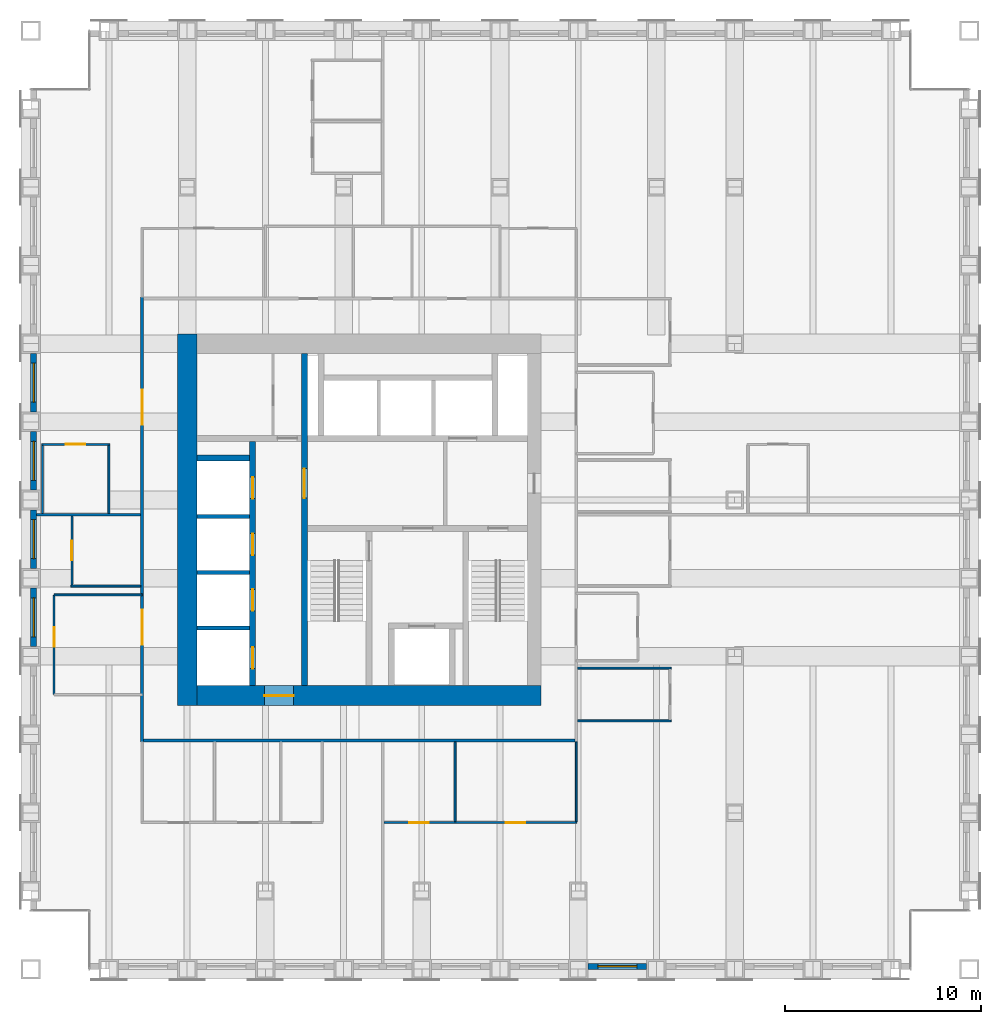
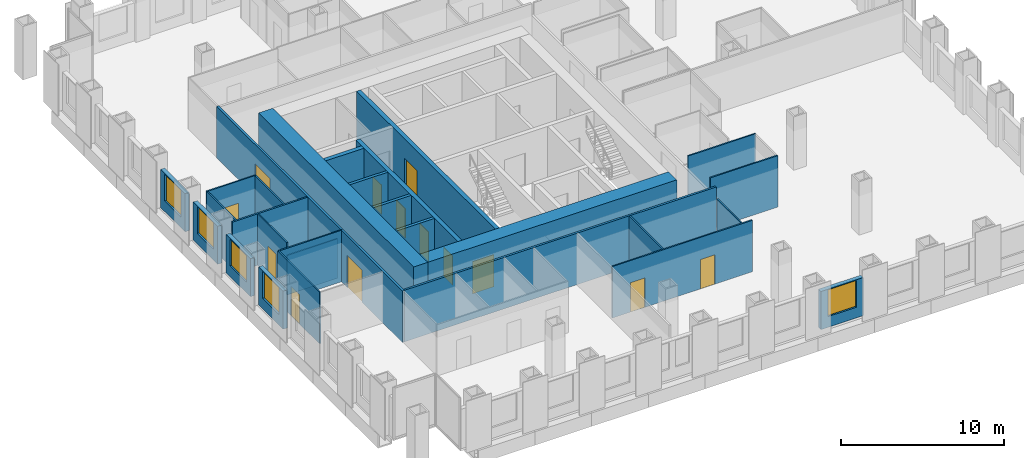
# One storey, part 11 of 16: 28 walls, 13 doors, 5 windows, 18 openings.
"""IFC4 building model written with IfcOpenShell, lengths in metres."""

import ifcopenshell
import ifcopenshell.guid

model = None  # the IFC model being written
_history = None  # IfcOwnerHistory: only IFC2X3 demands one
_inside = {}  # id of a spatial element -> (the spatial element, [elements in it])
_under = {}  # id of a project, library or spatial element -> (it, [spatial elements below it])
_declared = {}  # id of a project -> (the project, [libraries it declares])
_typed = {}  # id of a type object -> (the type object, [elements of that type])
_made_of = {}  # id of a material, layer set ... -> (it, [elements and type objects made of it])


def new_model(schema):
    """Start an empty IFC model of exactly this schema.

    Asked for "IFC4X3", IfcOpenShell would pick the latest addendum, in which some entities
    have other attributes; the version numbers below select the first issue.
    IFC2X3 requires an IfcOwnerHistory on every rooted entity: one is made here for all.
    """
    global model, _history
    if schema == "IFC4X3":
        model = ifcopenshell.file(schema_version=(4, 3, 0, 0))
    else:
        model = ifcopenshell.file(schema=schema)
    _inside.clear()
    _under.clear()
    _declared.clear()
    _typed.clear()
    _made_of.clear()
    _history = None
    if model.schema == "IFC2X3":
        org = make("IfcOrganization", Name="unknown")
        user = make(
            "IfcPersonAndOrganization",
            ThePerson=make("IfcPerson", FamilyName="unknown"),
            TheOrganization=org,
        )
        app = make(
            "IfcApplication",
            ApplicationDeveloper=org,
            Version="unknown",
            ApplicationFullName="unknown",
            ApplicationIdentifier="unknown",
        )
        _history = make(
            "IfcOwnerHistory",
            OwningUser=user,
            OwningApplication=app,
            ChangeAction="ADDED",
            CreationDate=0,
        )
    return model


def make(cls, **values):
    """One entity of the class cls with the attributes given. An attribute that is None is left unset."""
    return model.create_entity(
        cls, **{name: value for name, value in values.items() if value is not None}
    )


def rooted(cls, **values):
    """An entity with a GlobalId (a new one), such as an element, a storey or a relation."""
    return make(cls, GlobalId=ifcopenshell.guid.new(), OwnerHistory=_history, **values)


def si_unit(unit_type, name, prefix=None):
    """IfcSIUnit, for example si_unit("LENGTHUNIT", "METRE", prefix="MILLI")."""
    return make("IfcSIUnit", UnitType=unit_type, Prefix=prefix, Name=name)


def assignment(units):
    """IfcUnitAssignment: the units of a project."""
    return None if units is None else make("IfcUnitAssignment", Units=units)


def point(xyz):
    """IfcCartesianPoint."""
    return None if xyz is None else make("IfcCartesianPoint", Coordinates=xyz)


def direction(xyz):
    """IfcDirection."""
    return None if xyz is None else make("IfcDirection", DirectionRatios=xyz)


def frame(location, z_axis=None, x_axis=None):
    """IfcAxis2Placement3D, a coordinate frame: its origin and axes. An axis left out is left unset."""
    return make(
        "IfcAxis2Placement3D",
        Location=point(location),
        Axis=direction(z_axis),
        RefDirection=direction(x_axis),
    )


def frame_2d(location, x_axis=None):
    """IfcAxis2Placement2D, a coordinate frame in the plane: its origin and x axis."""
    return make(
        "IfcAxis2Placement2D", Location=point(location), RefDirection=direction(x_axis)
    )


def origin():
    """The frame at (0, 0, 0) with its axes left unset."""
    return frame((0.0, 0.0, 0.0))


def place(relative_to, where):
    """IfcLocalPlacement: puts the frame where relative to a parent placement (None: the world)."""
    return make(
        "IfcLocalPlacement", PlacementRelTo=relative_to, RelativePlacement=where
    )


def context(
    kind, dimensions, precision=None, world=None, true_north=None, identifier=None
):
    """IfcGeometricRepresentationContext, for example the 3D "Model" context."""
    return make(
        "IfcGeometricRepresentationContext",
        ContextIdentifier=identifier,
        ContextType=kind,
        CoordinateSpaceDimension=dimensions,
        Precision=precision,
        WorldCoordinateSystem=world,
        TrueNorth=true_north,
    )


def subcontext(parent, identifier, kind, view, scale=None):
    """IfcGeometricRepresentationSubContext, for example "Body" below "Model"."""
    return make(
        "IfcGeometricRepresentationSubContext",
        ContextIdentifier=identifier,
        ContextType=kind,
        ParentContext=parent,
        TargetScale=scale,
        TargetView=view,
    )


def project(units=None, contexts=None):
    """IfcProject with its units and contexts."""
    return rooted(
        "IfcProject",
        Name="project",
        RepresentationContexts=contexts,
        UnitsInContext=assignment(units),
    )


def spatial(cls, under=None, at=None, **own):
    """A site, building, storey or space (cls), placed at a placement, below another one or the project."""
    s = rooted(cls, ObjectPlacement=at, **own)
    if under is not None:
        _under.setdefault(under.id(), (under, []))[1].append(s)
    return s


def profile(cls, at=None, kind="AREA", **sizes):
    """A parametric profile (cls). Its sizes go by their IFC names, for example OverallWidth=200.0."""
    return make(cls, ProfileType=kind, Position=at, **sizes)


def rectangle(**sizes):
    """IfcRectangleProfileDef."""
    return profile("IfcRectangleProfileDef", **sizes)


def extrude(swept, where, along, depth):
    """IfcExtrudedAreaSolid: the profile swept, set in the frame where, extruded along a direction by depth."""
    return make(
        "IfcExtrudedAreaSolid",
        SweptArea=swept,
        Position=where,
        ExtrudedDirection=direction(along),
        Depth=depth,
    )


def shape(context_of_items, identifier, shape_type, items):
    """IfcShapeRepresentation: the items that make up one representation, for example the "Body"."""
    return make(
        "IfcShapeRepresentation",
        ContextOfItems=context_of_items,
        RepresentationIdentifier=identifier,
        RepresentationType=shape_type,
        Items=items,
    )


def material(Name=None, Category=None):
    """IfcMaterial."""
    return make("IfcMaterial", Name=Name, Category=Category)


def layer(
    of_material, thickness, ventilated=None, Name=None, Category=None, Priority=None
):
    """IfcMaterialLayer: one layer of a wall or slab, of a material (None: an air gap)."""
    return make(
        "IfcMaterialLayer",
        Material=of_material,
        LayerThickness=thickness,
        IsVentilated=ventilated,
        Name=Name,
        Category=Category,
        Priority=Priority,
    )


def layer_set(layers, Name=None):
    """IfcMaterialLayerSet."""
    return make("IfcMaterialLayerSet", MaterialLayers=layers, LayerSetName=Name)


def made_of(thing, what):
    """Note that an element or type object is made of a material, layer set ...; save() writes the relation."""
    if what is not None:
        _made_of.setdefault(what.id(), (what, []))[1].append(thing)
    return thing


def type_object(cls, material=None, **own):
    """A type object (cls), such as IfcWallType, which elements share."""
    return made_of(rooted(cls, **own), material)


def element(
    cls,
    number,
    at=None,
    inside=None,
    cuts=None,
    type_object=None,
    material=None,
    context=None,
    identifier="Body",
    shape_type=None,
    held_by="IfcProductDefinitionShape",
    body=None,
    shapes=None,
    **own,
):
    """One element of the class cls, such as IfcWall. Its Tag is "e" and its number.

    at: its placement. inside: the storey or other place that contains it. cuts: it is an
    opening in that element (IfcRelVoidsElement). A single representation is given by context,
    identifier, shape_type and body (its items); several are given by shapes. held_by: the class
    of the entity that holds the representations. save() writes the other relations.
    """
    e = rooted(cls, Tag="e%d" % number, ObjectPlacement=at, **own)
    if body is not None:
        shapes = [shape(context, identifier, shape_type, body)]
    if shapes is not None:
        e.Representation = make(held_by, Representations=shapes)
    if inside is not None:
        _inside.setdefault(inside.id(), (inside, []))[1].append(e)
    if cuts is not None:
        rooted(
            "IfcRelVoidsElement", RelatingBuildingElement=cuts, RelatedOpeningElement=e
        )
    if type_object is not None:
        _typed.setdefault(type_object.id(), (type_object, []))[1].append(e)
    return made_of(e, material)


def fill(opening, filler):
    """IfcRelFillsElement: the door or window that sits in an opening."""
    return rooted(
        "IfcRelFillsElement",
        RelatingOpeningElement=opening,
        RelatedBuildingElement=filler,
    )


def aggregate(whole, parts):
    """IfcRelAggregates: a whole, such as a stair, and the parts it consists of."""
    return rooted("IfcRelAggregates", RelatingObject=whole, RelatedObjects=parts)


def save(model, path):
    """Write the relations noted so far, then the file.

    IfcRelAggregates (storeys below a building ...), IfcRelContainedInSpatialStructure (elements
    in a storey), IfcRelDefinesByType, IfcRelAssociatesMaterial and IfcRelDeclares: one each for
    every whole, place, type object, material and project.
    """
    for whole, parts in _under.values():
        aggregate(whole, parts)
    for where, things in _inside.values():
        rooted(
            "IfcRelContainedInSpatialStructure",
            RelatedElements=things,
            RelatingStructure=where,
        )
    for kind, things in _typed.values():
        rooted("IfcRelDefinesByType", RelatedObjects=things, RelatingType=kind)
    for what, things in _made_of.values():
        rooted("IfcRelAssociatesMaterial", RelatedObjects=things, RelatingMaterial=what)
    for by, libraries in _declared.values():
        rooted("IfcRelDeclares", RelatingContext=by, RelatedDefinitions=libraries)
    model.write(path)


model = new_model("IFC4")

# Units and contexts
model_context = context("Model", 3, precision=1e-05, world=origin(), true_north=direction((0.0, 1.0)))
body_context = subcontext(model_context, "Body", "Model", "MODEL_VIEW")
ifc_project = project(units=[si_unit("LENGTHUNIT", "METRE"), si_unit("AREAUNIT", "SQUARE_METRE"), si_unit("VOLUMEUNIT", "CUBIC_METRE"), si_unit("PLANEANGLEUNIT", "RADIAN"), si_unit("MASSUNIT", "GRAM", prefix="KILO")], contexts=[model_context])

# Site, building, storey
site_placement = place(None, origin())
site = spatial("IfcSite", under=ifc_project, at=site_placement, CompositionType="ELEMENT")
building_placement = place(site_placement, origin())
building = spatial("IfcBuilding", under=site, at=building_placement, Name="Rimbunsela Tower", CompositionType="ELEMENT")
storey_placement = place(building_placement, frame((0.0, 0.0, 121.39990234375)))
storey = spatial("IfcBuildingStorey", under=building, at=storey_placement, Name="L29", CompositionType="ELEMENT", Elevation=121.39990234375)

# Wall, opening, door
ifc_material_1 = material(Name="Concrete fc' 80 MPa", Category="concrete")
ifc_layer_1 = layer(ifc_material_1, 0.300048828125)
ifc_layer_set_1 = layer_set([ifc_layer_1], Name="Core internal wall 300")
wall_type_1 = type_object("IfcWallType", Name="Core internal wall 300", PredefinedType="SHEAR", material=ifc_layer_set_1)
wall_1_placement = place(storey_placement, frame((24.0, 18.5, -0.14990234375), z_axis=(0.0, 0.0, 1.0), x_axis=(0.0, 1.0, 0.0)))
wall_1 = element("IfcWall", 1, at=wall_1_placement, inside=storey, type_object=wall_type_1, Name="Core wall at stair A", PredefinedType="SHEAR", context=body_context, shape_type="SweptSolid", body=[
    extrude(rectangle(XDim=17.0, YDim=0.300048828125, at=frame_2d((8.5, 0.0))), origin(), (0.0, 0.0, 1.0), 4.0),
])
opening_1_placement = place(wall_1_placement, frame((9.60009765625, 0.0, 0.14990234375)))
opening_1 = element("IfcOpeningElement", 2, at=opening_1_placement, cuts=wall_1, Name="Opening D03", PredefinedType="OPENING", context=body_context, shape_type="SweptSolid", body=[
    extrude(rectangle(XDim=1.5, YDim=2.39990234375, at=frame_2d((0.75, 1.199951171875))), frame((0.0, 0.159912109375, 0.0), z_axis=(0.0, -1.0, 0.0), x_axis=(1.0, 0.0, 0.0)), (0.0, 0.0, 1.0), 0.320068359375),
])
ifc_material_2 = material(Name="Steel door, fire rated", Category="steel")
door_type_1 = type_object("IfcDoorType", Name="Core lobby door 1500", OperationType="DOUBLE_DOOR_DOUBLE_SWING", PredefinedType="DOOR", material=ifc_material_2)
door_1_placement = place(opening_1_placement, origin())
door_1 = element("IfcDoor", 3, at=door_1_placement, inside=storey, type_object=door_type_1, Name="West lobby door", OperationType="DOUBLE_DOOR_DOUBLE_SWING", OverallHeight=2.39990234375, OverallWidth=1.5, PredefinedType="DOOR", context=body_context, shape_type="SweptSolid", body=[
    extrude(rectangle(XDim=1.5, YDim=2.39990234375, at=frame_2d((0.75, 1.199951171875))), frame((0.0, 0.02490234375, 0.0), z_axis=(0.0, -1.0, 0.0), x_axis=(1.0, 0.0, 0.0)), (0.0, 0.0, 1.0), 0.050048828125),
])
fill(opening_1, door_1)

# Wall, openings, doors
wall_2_placement = place(storey_placement, frame((21.35009765625, 18.5, -0.14990234375), z_axis=(0.0, 0.0, 1.0), x_axis=(0.0, 1.0, 0.0)))
wall_2 = element("IfcWall", 4, at=wall_2_placement, inside=storey, type_object=wall_type_1, Name="Lift shaft front west", PredefinedType="SHEAR", context=body_context, shape_type="SweptSolid", body=[
    extrude(rectangle(XDim=12.5, YDim=0.300048828125, at=frame_2d((6.25, 0.0))), origin(), (0.0, 0.0, 1.0), 4.0),
])
opening_2_placement = place(wall_2_placement, frame((0.875, 0.0, 0.14990234375)))
opening_2 = element("IfcOpeningElement", 5, at=opening_2_placement, cuts=wall_2, Name="Opening LD1", PredefinedType="OPENING", context=body_context, shape_type="SweptSolid", body=[
    extrude(rectangle(XDim=1.10009765625, YDim=2.199951171875, at=frame_2d((0.550048828125, 1.10009765625))), frame((0.0, 0.159912109375, 0.0), z_axis=(0.0, -1.0, 0.0), x_axis=(1.0, 0.0, 0.0)), (0.0, 0.0, 1.0), 0.320068359375),
])
opening_3_placement = place(wall_2_placement, frame((3.824951171875, 0.0, 0.14990234375)))
opening_3 = element("IfcOpeningElement", 6, at=opening_3_placement, cuts=wall_2, Name="Opening LD1", PredefinedType="OPENING", context=body_context, shape_type="SweptSolid", body=[
    extrude(rectangle(XDim=1.10009765625, YDim=2.199951171875, at=frame_2d((0.550048828125, 1.10009765625))), frame((0.0, 0.159912109375, 0.0), z_axis=(0.0, -1.0, 0.0), x_axis=(1.0, 0.0, 0.0)), (0.0, 0.0, 1.0), 0.320068359375),
])
opening_4_placement = place(wall_2_placement, frame((6.675048828125, 0.0, 0.14990234375)))
opening_4 = element("IfcOpeningElement", 7, at=opening_4_placement, cuts=wall_2, Name="Opening LD1", PredefinedType="OPENING", context=body_context, shape_type="SweptSolid", body=[
    extrude(rectangle(XDim=1.10009765625, YDim=2.199951171875, at=frame_2d((0.550048828125, 1.10009765625))), frame((0.0, 0.159912109375, 0.0), z_axis=(0.0, -1.0, 0.0), x_axis=(1.0, 0.0, 0.0)), (0.0, 0.0, 1.0), 0.320068359375),
])
opening_5_placement = place(wall_2_placement, frame((9.574951171875, 0.0, 0.14990234375)))
opening_5 = element("IfcOpeningElement", 8, at=opening_5_placement, cuts=wall_2, Name="Opening LD1", PredefinedType="OPENING", context=body_context, shape_type="SweptSolid", body=[
    extrude(rectangle(XDim=1.10009765625, YDim=2.199951171875, at=frame_2d((0.550048828125, 1.10009765625))), frame((0.0, 0.159912109375, 0.0), z_axis=(0.0, -1.0, 0.0), x_axis=(1.0, 0.0, 0.0)), (0.0, 0.0, 1.0), 0.320068359375),
])
ifc_material_3 = material(Name="Steel door, fire rated", Category="steel")
door_type_2 = type_object("IfcDoorType", Name="Lift landing door 1100", OperationType="DOUBLE_DOOR_SLIDING", PredefinedType="DOOR", material=ifc_material_3)
door_2_placement = place(opening_2_placement, origin())
door_2 = element("IfcDoor", 9, at=door_2_placement, inside=storey, type_object=door_type_2, Name="Lift landing door ML1", OperationType="DOUBLE_DOOR_SLIDING", OverallHeight=2.199951171875, OverallWidth=1.10009765625, PredefinedType="DOOR", context=body_context, shape_type="SweptSolid", body=[
    extrude(rectangle(XDim=1.10009765625, YDim=2.199951171875, at=frame_2d((0.550048828125, 1.10009765625))), frame((0.0, 0.02490234375, 0.0), z_axis=(0.0, -1.0, 0.0), x_axis=(1.0, 0.0, 0.0)), (0.0, 0.0, 1.0), 0.050048828125),
])
fill(opening_2, door_2)
door_3_placement = place(opening_3_placement, origin())
door_3 = element("IfcDoor", 10, at=door_3_placement, inside=storey, type_object=door_type_2, Name="Lift landing door ML2", OperationType="DOUBLE_DOOR_SLIDING", OverallHeight=2.199951171875, OverallWidth=1.10009765625, PredefinedType="DOOR", context=body_context, shape_type="SweptSolid", body=[
    extrude(rectangle(XDim=1.10009765625, YDim=2.199951171875, at=frame_2d((0.550048828125, 1.10009765625))), frame((0.0, 0.02490234375, 0.0), z_axis=(0.0, -1.0, 0.0), x_axis=(1.0, 0.0, 0.0)), (0.0, 0.0, 1.0), 0.050048828125),
])
fill(opening_3, door_3)
door_4_placement = place(opening_4_placement, origin())
door_4 = element("IfcDoor", 11, at=door_4_placement, inside=storey, type_object=door_type_2, Name="Lift landing door ML3", OperationType="DOUBLE_DOOR_SLIDING", OverallHeight=2.199951171875, OverallWidth=1.10009765625, PredefinedType="DOOR", context=body_context, shape_type="SweptSolid", body=[
    extrude(rectangle(XDim=1.10009765625, YDim=2.199951171875, at=frame_2d((0.550048828125, 1.10009765625))), frame((0.0, 0.02490234375, 0.0), z_axis=(0.0, -1.0, 0.0), x_axis=(1.0, 0.0, 0.0)), (0.0, 0.0, 1.0), 0.050048828125),
])
fill(opening_4, door_4)
door_5_placement = place(opening_5_placement, origin())
door_5 = element("IfcDoor", 12, at=door_5_placement, inside=storey, type_object=door_type_2, Name="Lift landing door ML4", OperationType="DOUBLE_DOOR_SLIDING", OverallHeight=2.199951171875, OverallWidth=1.10009765625, PredefinedType="DOOR", context=body_context, shape_type="SweptSolid", body=[
    extrude(rectangle(XDim=1.10009765625, YDim=2.199951171875, at=frame_2d((0.550048828125, 1.10009765625))), frame((0.0, 0.02490234375, 0.0), z_axis=(0.0, -1.0, 0.0), x_axis=(1.0, 0.0, 0.0)), (0.0, 0.0, 1.0), 0.050048828125),
])
fill(opening_5, door_5)

# Walls
wall_3_placement = place(storey_placement, frame((18.5, 30.14990234375, -0.14990234375), z_axis=(0.0, 0.0, 1.0), x_axis=(1.0, 0.0, 0.0)))
element("IfcWall", 13, at=wall_3_placement, inside=storey, type_object=wall_type_1, Name="Lift shaft rear west", PredefinedType="SHEAR", context=body_context, shape_type="SweptSolid", body=[
    extrude(rectangle(XDim=2.699951171875, YDim=0.300048828125, at=frame_2d((1.35009765625, 0.0))), origin(), (0.0, 0.0, 1.0), 4.0),
])
ifc_material_4 = material(Name="Concrete fc' 80 MPa", Category="concrete")
ifc_layer_2 = layer(ifc_material_4, 1.0)
ifc_layer_set_2 = layer_set([ifc_layer_2], Name="Core wall 1000")
wall_type_2 = type_object("IfcWallType", Name="Core wall 1000", PredefinedType="SHEAR", material=ifc_layer_set_2)
wall_4_placement = place(storey_placement, frame((18.0, 17.5, -0.14990234375), z_axis=(0.0, 0.0, 1.0), x_axis=(0.0, 1.0, 0.0)))
element("IfcWall", 14, at=wall_4_placement, inside=storey, type_object=wall_type_2, Name="Core wall west", PredefinedType="SHEAR", context=body_context, shape_type="SweptSolid", body=[
    extrude(rectangle(XDim=19.0, YDim=1.0, at=frame_2d((9.5, 0.0))), origin(), (0.0, 0.0, 1.0), 4.0),
])

# Wall, opening, door
wall_5_placement = place(storey_placement, frame((18.5, 18.0, -0.14990234375), z_axis=(0.0, 0.0, 1.0), x_axis=(1.0, 0.0, 0.0)))
wall_5 = element("IfcWall", 15, at=wall_5_placement, inside=storey, type_object=wall_type_2, Name="Core wall south", PredefinedType="SHEAR", context=body_context, shape_type="SweptSolid", body=[
    extrude(rectangle(XDim=17.60009765625, YDim=1.0, at=frame_2d((8.800048828125, 0.0))), origin(), (0.0, 0.0, 1.0), 4.0),
])
opening_6_placement = place(wall_5_placement, frame((3.449951171875, 0.0, 0.14990234375)))
opening_6 = element("IfcOpeningElement", 16, at=opening_6_placement, cuts=wall_5, Name="Opening D03", PredefinedType="OPENING", context=body_context, shape_type="SweptSolid", body=[
    extrude(rectangle(XDim=1.5, YDim=2.39990234375, at=frame_2d((0.75, 1.199951171875))), frame((0.0, 0.510009765625, 0.0), z_axis=(0.0, -1.0, 0.0), x_axis=(1.0, 0.0, 0.0)), (0.0, 0.0, 1.0), 1.02001953125),
])
door_6_placement = place(opening_6_placement, origin())
door_6 = element("IfcDoor", 17, at=door_6_placement, inside=storey, type_object=door_type_1, Name="Core door south", OperationType="DOUBLE_DOOR_DOUBLE_SWING", OverallHeight=2.39990234375, OverallWidth=1.5, PredefinedType="DOOR", context=body_context, shape_type="SweptSolid", body=[
    extrude(rectangle(XDim=1.5, YDim=2.39990234375, at=frame_2d((0.75, 1.199951171875))), frame((0.0, 0.02490234375, 0.0), z_axis=(0.0, -1.0, 0.0), x_axis=(1.0, 0.0, 0.0)), (0.0, 0.0, 1.0), 0.050048828125),
])
fill(opening_6, door_6)

# Walls
ifc_material_5 = material(Name="Concrete blockwork", Category="masonry")
ifc_layer_3 = layer(ifc_material_5, 0.199951171875)
ifc_layer_set_3 = layer_set([ifc_layer_3], Name="Lift shaft wall 200")
wall_type_3 = type_object("IfcWallType", Name="Lift shaft wall 200", PredefinedType="SOLIDWALL", material=ifc_layer_set_3)
for number, where, z_axis, x_axis, name in (
    (18, (18.5, 21.449951171875, -0.14990234375), (0.0, 0.0, 1.0), (1.0, 0.0, 0.0), "Lift shaft separation"),
    (19, (18.5, 24.300048828125, -0.14990234375), (0.0, 0.0, 1.0), (1.0, 0.0, 0.0), "Lift shaft separation"),
    (20, (18.5, 27.14990234375, -0.14990234375), (0.0, 0.0, 1.0), (1.0, 0.0, 0.0), "Lift shaft separation"),
):
    element("IfcWall", number, at=place(storey_placement, frame(where, z_axis=z_axis, x_axis=x_axis)), inside=storey, type_object=wall_type_3, Name=name, PredefinedType="SOLIDWALL", context=body_context, shape_type="SweptSolid", body=[
        extrude(rectangle(XDim=2.699951171875, YDim=0.199951171875, at=frame_2d((1.35009765625, 0.0))), origin(), (0.0, 0.0, 1.0), 4.0),
    ])

# Wall, openings, doors
ifc_material_6 = material(Name="Gypsum board on steel studs", Category="steel")
ifc_layer_4 = layer(ifc_material_6, 0.10009765625)
ifc_layer_set_4 = layer_set([ifc_layer_4], Name="Office partition 100")
wall_type_4 = type_object("IfcWallType", Name="Office partition 100", PredefinedType="PARTITIONING", material=ifc_layer_set_4)
wall_6_placement = place(storey_placement, frame((28.06103515625, 11.5, 0.0), z_axis=(0.0, 0.0, 1.0), x_axis=(1.0, 0.0, 0.0)))
wall_6 = element("IfcWall", 21, at=wall_6_placement, inside=storey, type_object=wall_type_4, Name="Office partition", PredefinedType="PARTITIONING", context=body_context, shape_type="SweptSolid", body=[
    extrude(rectangle(XDim=9.888916015625, YDim=0.10009765625, at=frame_2d((4.9443359375, 0.0))), origin(), (0.0, 0.0, 1.0), 3.85009765625),
])
opening_7_placement = place(wall_6_placement, frame((1.2900390625, 0.0, 0.0)))
opening_7 = element("IfcOpeningElement", 22, at=opening_7_placement, cuts=wall_6, Name="Opening D17", PredefinedType="OPENING", context=body_context, shape_type="SweptSolid", body=[
    extrude(rectangle(XDim=1.0, YDim=2.199951171875, at=frame_2d((0.5, 1.10009765625))), frame((0.0, 0.06005859375, 0.0), z_axis=(0.0, -1.0, 0.0), x_axis=(1.0, 0.0, 0.0)), (0.0, 0.0, 1.0), 0.1201171875),
])
opening_8_placement = place(wall_6_placement, frame((6.239501953125, 0.0, 0.0)))
opening_8 = element("IfcOpeningElement", 23, at=opening_8_placement, cuts=wall_6, Name="Opening D16", PredefinedType="OPENING", context=body_context, shape_type="SweptSolid", body=[
    extrude(rectangle(XDim=1.0, YDim=2.199951171875, at=frame_2d((0.5, 1.10009765625))), frame((0.0, 0.06005859375, 0.0), z_axis=(0.0, -1.0, 0.0), x_axis=(1.0, 0.0, 0.0)), (0.0, 0.0, 1.0), 0.1201171875),
])
ifc_material_7 = material(Name="Glazed aluminium door", Category="aluminium")
door_type_3 = type_object("IfcDoorType", Name="Meeting room door 1000 glazed", OperationType="SINGLE_SWING_RIGHT", PredefinedType="DOOR", material=ifc_material_7)
door_7_placement = place(opening_7_placement, origin())
door_7 = element("IfcDoor", 24, at=door_7_placement, inside=storey, type_object=door_type_3, Name="Meeting room door", OperationType="SINGLE_SWING_RIGHT", OverallHeight=2.199951171875, OverallWidth=1.0, PredefinedType="DOOR", context=body_context, shape_type="SweptSolid", body=[
    extrude(rectangle(XDim=1.0, YDim=2.199951171875, at=frame_2d((0.5, 1.10009765625))), frame((0.0, 0.02490234375, 0.0), z_axis=(0.0, -1.0, 0.0), x_axis=(1.0, 0.0, 0.0)), (0.0, 0.0, 1.0), 0.050048828125),
])
fill(opening_7, door_7)
ifc_material_8 = material(Name="Timber door", Category="wood")
door_type_4 = type_object("IfcDoorType", Name="Office door 1000", OperationType="SINGLE_SWING_LEFT", PredefinedType="DOOR", material=ifc_material_8)
door_8_placement = place(opening_8_placement, origin())
door_8 = element("IfcDoor", 25, at=door_8_placement, inside=storey, type_object=door_type_4, Name="Office door", OperationType="SINGLE_SWING_LEFT", OverallHeight=2.199951171875, OverallWidth=1.0, PredefinedType="DOOR", context=body_context, shape_type="SweptSolid", body=[
    extrude(rectangle(XDim=1.0, YDim=2.199951171875, at=frame_2d((0.5, 1.10009765625))), frame((0.0, 0.02490234375, 0.0), z_axis=(0.0, -1.0, 0.0), x_axis=(1.0, 0.0, 0.0)), (0.0, 0.0, 1.0), 0.050048828125),
])
fill(opening_8, door_8)

# Walls
for number, where, z_axis, x_axis, name in (
    (26, (37.97509765625, 16.699951171875, 0.0), (0.0, 0.0, 1.0), (1.0, 0.0, 0.0), "Office partition"),
    (27, (37.97509765625, 19.39892578125, 0.0), (0.0, 0.0, 1.0), (1.0, 0.0, 0.0), "Office partition"),
):
    element("IfcWall", number, at=place(storey_placement, frame(where, z_axis=z_axis, x_axis=x_axis)), inside=storey, type_object=wall_type_4, Name=name, PredefinedType="PARTITIONING", context=body_context, shape_type="SweptSolid", body=[
        extrude(rectangle(XDim=4.77490234375, YDim=0.10009765625, at=frame_2d((2.387451171875, 0.0))), origin(), (0.0, 0.0, 1.0), 3.85009765625),
    ])
wall_7_placement = place(storey_placement, frame((12.050048828125, 23.59912109375, 0.0), z_axis=(0.0, 0.0, 1.0), x_axis=(1.0, 0.0, 0.0)))
element("IfcWall", 28, at=wall_7_placement, inside=storey, type_object=wall_type_4, Name="Office partition", PredefinedType="PARTITIONING", context=body_context, shape_type="SweptSolid", body=[
    extrude(rectangle(XDim=3.574951171875, YDim=0.10009765625, at=frame_2d((1.78759765625, 0.0))), origin(), (0.0, 0.0, 1.0), 2.9501953125),
])

# Wall, opening, door
wall_8_placement = place(storey_placement, frame((10.550048828125, 30.85009765625, 0.0), z_axis=(0.0, 0.0, 1.0), x_axis=(1.0, 0.0, 0.0)))
wall_8 = element("IfcWall", 29, at=wall_8_placement, inside=storey, type_object=wall_type_4, Name="Office partition", PredefinedType="PARTITIONING", context=body_context, shape_type="SweptSolid", body=[
    extrude(rectangle(XDim=3.5, YDim=0.10009765625, at=frame_2d((1.75, 0.0))), origin(), (0.0, 0.0, 1.0), 3.85009765625),
])
opening_9_placement = place(wall_8_placement, frame((1.25, 0.0, 0.0)))
opening_9 = element("IfcOpeningElement", 30, at=opening_9_placement, cuts=wall_8, Name="Opening D16", PredefinedType="OPENING", context=body_context, shape_type="SweptSolid", body=[
    extrude(rectangle(XDim=1.0, YDim=2.199951171875, at=frame_2d((0.5, 1.10009765625))), frame((0.0, 0.06005859375, 0.0), z_axis=(0.0, -1.0, 0.0), x_axis=(1.0, 0.0, 0.0)), (0.0, 0.0, 1.0), 0.1201171875),
])
door_9_placement = place(opening_9_placement, origin())
door_9 = element("IfcDoor", 31, at=door_9_placement, inside=storey, type_object=door_type_4, Name="Office door", OperationType="SINGLE_SWING_LEFT", OverallHeight=2.199951171875, OverallWidth=1.0, PredefinedType="DOOR", context=body_context, shape_type="SweptSolid", body=[
    extrude(rectangle(XDim=1.0, YDim=2.199951171875, at=frame_2d((0.5, 1.10009765625))), frame((0.0, 0.02490234375, 0.0), z_axis=(0.0, -1.0, 0.0), x_axis=(1.0, 0.0, 0.0)), (0.0, 0.0, 1.0), 0.050048828125),
])
fill(opening_9, door_9)

# Wall
wall_9_placement = place(storey_placement, frame((10.60009765625, 27.31005859375, 0.0), z_axis=(0.0, 0.0, 1.0), x_axis=(0.0, 1.0, 0.0)))
element("IfcWall", 32, at=wall_9_placement, inside=storey, type_object=wall_type_4, Name="Office partition", PredefinedType="PARTITIONING", context=body_context, shape_type="SweptSolid", body=[
    extrude(rectangle(XDim=3.489990234375, YDim=0.10009765625, at=frame_2d((1.7451171875, 0.0))), origin(), (0.0, 0.0, 1.0), 3.85009765625),
])

# Wall, opening, door
wall_10_placement = place(storey_placement, frame((12.10009765625, 23.64892578125, 0.0), z_axis=(0.0, 0.0, 1.0), x_axis=(0.0, 1.0, 0.0)))
wall_10 = element("IfcWall", 33, at=wall_10_placement, inside=storey, type_object=wall_type_4, Name="Office partition", PredefinedType="PARTITIONING", context=body_context, shape_type="SweptSolid", body=[
    extrude(rectangle(XDim=3.5400390625, YDim=0.10009765625, at=frame_2d((1.77001953125, 0.0))), origin(), (0.0, 0.0, 1.0), 3.85009765625),
])
opening_10_placement = place(wall_10_placement, frame((1.27490234375, 0.0, 0.0)))
opening_10 = element("IfcOpeningElement", 34, at=opening_10_placement, cuts=wall_10, Name="Opening D16", PredefinedType="OPENING", context=body_context, shape_type="SweptSolid", body=[
    extrude(rectangle(XDim=1.0, YDim=2.199951171875, at=frame_2d((0.5, 1.10009765625))), frame((0.0, 0.06005859375, 0.0), z_axis=(0.0, -1.0, 0.0), x_axis=(1.0, 0.0, 0.0)), (0.0, 0.0, 1.0), 0.1201171875),
])
door_10_placement = place(opening_10_placement, origin())
door_10 = element("IfcDoor", 35, at=door_10_placement, inside=storey, type_object=door_type_4, Name="Office door", OperationType="SINGLE_SWING_LEFT", OverallHeight=2.199951171875, OverallWidth=1.0, PredefinedType="DOOR", context=body_context, shape_type="SweptSolid", body=[
    extrude(rectangle(XDim=1.0, YDim=2.199951171875, at=frame_2d((0.5, 1.10009765625))), frame((0.0, 0.02490234375, 0.0), z_axis=(0.0, -1.0, 0.0), x_axis=(1.0, 0.0, 0.0)), (0.0, 0.0, 1.0), 0.050048828125),
])
fill(opening_10, door_10)

# Walls
wall_11_placement = place(storey_placement, frame((14.0, 27.31005859375, 0.0), z_axis=(0.0, 0.0, 1.0), x_axis=(0.0, 1.0, 0.0)))
element("IfcWall", 36, at=wall_11_placement, inside=storey, type_object=wall_type_4, Name="Office partition", PredefinedType="PARTITIONING", context=body_context, shape_type="SweptSolid", body=[
    extrude(rectangle(XDim=3.489990234375, YDim=0.10009765625, at=frame_2d((1.7451171875, 0.0))), origin(), (0.0, 0.0, 1.0), 3.85009765625),
])
wall_12_placement = place(storey_placement, frame((31.700927734375, 11.550048828125, 0.0), z_axis=(0.0, 0.0, 1.0), x_axis=(0.0, 1.0, 0.0)))
element("IfcWall", 37, at=wall_12_placement, inside=storey, type_object=wall_type_4, Name="Office partition", PredefinedType="PARTITIONING", context=body_context, shape_type="SweptSolid", body=[
    extrude(rectangle(XDim=4.074951171875, YDim=0.10009765625, at=frame_2d((2.03759765625, 0.0))), origin(), (0.0, 0.0, 1.0), 3.85009765625),
])
wall_13_placement = place(storey_placement, frame((37.89990234375, 11.550048828125, 0.0), z_axis=(0.0, 0.0, 1.0), x_axis=(0.0, 1.0, 0.0)))
element("IfcWall", 38, at=wall_13_placement, inside=storey, type_object=wall_type_4, Name="Office partition", PredefinedType="PARTITIONING", context=body_context, shape_type="SweptSolid", body=[
    extrude(rectangle(XDim=4.074951171875, YDim=0.10009765625, at=frame_2d((2.03759765625, 0.0))), origin(), (0.0, 0.0, 1.0), 2.9501953125),
])
wall_14_placement = place(storey_placement, frame((15.699951171875, 23.14892578125, 0.0), z_axis=(0.0, 0.0, 1.0), x_axis=(-1.0, 0.0, 0.0)))
element("IfcWall", 39, at=wall_14_placement, inside=storey, type_object=wall_type_4, Name="Office partition", PredefinedType="PARTITIONING", context=body_context, shape_type="SweptSolid", body=[
    extrude(rectangle(XDim=4.5, YDim=0.10009765625, at=frame_2d((2.25, 0.0))), origin(), (0.0, 0.0, 1.0), 3.85009765625),
])

# Wall, opening, door
wall_15_placement = place(storey_placement, frame((11.199951171875, 23.14892578125, 0.0), z_axis=(0.0, 0.0, 1.0), x_axis=(0.0, -1.0, 0.0)))
wall_15 = element("IfcWall", 40, at=wall_15_placement, inside=storey, type_object=wall_type_4, Name="Office partition", PredefinedType="PARTITIONING", context=body_context, shape_type="SweptSolid", body=[
    extrude(rectangle(XDim=5.099853515625, YDim=0.10009765625, at=frame_2d((2.5498046875, 0.0))), origin(), (0.0, 0.0, 1.0), 3.85009765625),
])
opening_11_placement = place(wall_15_placement, frame((1.64990234375, 0.0, 0.0)))
opening_11 = element("IfcOpeningElement", 41, at=opening_11_placement, cuts=wall_15, Name="Opening D17", PredefinedType="OPENING", context=body_context, shape_type="SweptSolid", body=[
    extrude(rectangle(XDim=1.0, YDim=2.199951171875, at=frame_2d((0.5, 1.10009765625))), frame((0.0, 0.06005859375, 0.0), z_axis=(0.0, -1.0, 0.0), x_axis=(1.0, 0.0, 0.0)), (0.0, 0.0, 1.0), 0.1201171875),
])
door_11_placement = place(opening_11_placement, origin())
door_11 = element("IfcDoor", 42, at=door_11_placement, inside=storey, type_object=door_type_3, Name="Reception door", OperationType="SINGLE_SWING_RIGHT", OverallHeight=2.199951171875, OverallWidth=1.0, PredefinedType="DOOR", context=body_context, shape_type="SweptSolid", body=[
    extrude(rectangle(XDim=1.0, YDim=2.199951171875, at=frame_2d((0.5, 1.10009765625))), frame((0.0, 0.02490234375, 0.0), z_axis=(0.0, -1.0, 0.0), x_axis=(1.0, 0.0, 0.0)), (0.0, 0.0, 1.0), 0.050048828125),
])
fill(opening_11, door_11)

# Wall, opening, window
ifc_material_9 = material(Name="Precast concrete fc' 35 MPa", Category="concrete")
ifc_layer_5 = layer(ifc_material_9, 0.300048828125)
ifc_layer_set_5 = layer_set([ifc_layer_5], Name="Precast concrete fc' 35 MPa")
wall_type_5 = type_object("IfcWallType", Name="Precast facade panel 300", PredefinedType="ELEMENTEDWALL", material=ifc_layer_set_5)
wall_16_placement = place(storey_placement, frame((38.5, 4.14990234375, 0.0), z_axis=(0.0, 0.0, 1.0), x_axis=(1.0, 0.0, 0.0)))
wall_16 = element("IfcWall", 43, at=wall_16_placement, inside=storey, type_object=wall_type_5, Name="Facade panel S L29", PredefinedType="ELEMENTEDWALL", context=body_context, shape_type="SweptSolid", body=[
    extrude(rectangle(XDim=3.0, YDim=0.300048828125, at=frame_2d((1.5, 0.0))), origin(), (0.0, 0.0, 1.0), 2.85009765625),
])
opening_12_placement = place(wall_16_placement, frame((0.5, 0.0, 0.800048828125)))
opening_12 = element("IfcOpeningElement", 44, at=opening_12_placement, cuts=wall_16, Name="Opening W1", PredefinedType="OPENING", context=body_context, shape_type="SweptSolid", body=[
    extrude(rectangle(XDim=2.0, YDim=2.0, at=frame_2d((1.0, 1.0))), frame((0.0, 0.159912109375, 0.0), z_axis=(0.0, -1.0, 0.0), x_axis=(1.0, 0.0, 0.0)), (0.0, 0.0, 1.0), 0.320068359375),
])
ifc_material_10 = material(Name="Clear glass in aluminium frame", Category="aluminium")
window_type = type_object("IfcWindowType", Name="Window W1 2000x2000", PartitioningType="DOUBLE_PANEL_VERTICAL", PredefinedType="WINDOW", material=ifc_material_10)
window_1_placement = place(opening_12_placement, origin())
window_1 = element("IfcWindow", 45, at=window_1_placement, inside=storey, type_object=window_type, Name="Window L29", OverallHeight=2.0, OverallWidth=2.0, PartitioningType="SINGLE_PANEL", PredefinedType="WINDOW", context=body_context, shape_type="SweptSolid", body=[
    extrude(rectangle(XDim=2.0, YDim=2.0, at=frame_2d((1.0, 1.0))), frame((0.0, 0.030029296875, 0.0), z_axis=(0.0, -1.0, 0.0), x_axis=(1.0, 0.0, 0.0)), (0.0, 0.0, 1.0), 0.06005859375),
])
fill(opening_12, window_1)

wall_17_placement = place(storey_placement, frame((10.14990234375, 23.5, 0.0), z_axis=(0.0, 0.0, 1.0), x_axis=(0.0, -1.0, 0.0)))
wall_17 = element("IfcWall", 46, at=wall_17_placement, inside=storey, type_object=wall_type_5, Name="Facade panel W L29", PredefinedType="ELEMENTEDWALL", context=body_context, shape_type="SweptSolid", body=[
    extrude(rectangle(XDim=3.0, YDim=0.300048828125, at=frame_2d((1.5, 0.0))), origin(), (0.0, 0.0, 1.0), 2.85009765625),
])
opening_13_placement = place(wall_17_placement, frame((0.5, 0.0, 0.800048828125)))
opening_13 = element("IfcOpeningElement", 47, at=opening_13_placement, cuts=wall_17, Name="Opening W1", PredefinedType="OPENING", context=body_context, shape_type="SweptSolid", body=[
    extrude(rectangle(XDim=2.0, YDim=2.0, at=frame_2d((1.0, 1.0))), frame((0.0, 0.159912109375, 0.0), z_axis=(0.0, -1.0, 0.0), x_axis=(1.0, 0.0, 0.0)), (0.0, 0.0, 1.0), 0.320068359375),
])
window_2_placement = place(opening_13_placement, origin())
window_2 = element("IfcWindow", 48, at=window_2_placement, inside=storey, type_object=window_type, Name="Window L29", OverallHeight=2.0, OverallWidth=2.0, PartitioningType="SINGLE_PANEL", PredefinedType="WINDOW", context=body_context, shape_type="SweptSolid", body=[
    extrude(rectangle(XDim=2.0, YDim=2.0, at=frame_2d((1.0, 1.0))), frame((0.0, 0.030029296875, 0.0), z_axis=(0.0, -1.0, 0.0), x_axis=(1.0, 0.0, 0.0)), (0.0, 0.0, 1.0), 0.06005859375),
])
fill(opening_13, window_2)

wall_18_placement = place(storey_placement, frame((10.14990234375, 27.5, 0.0), z_axis=(0.0, 0.0, 1.0), x_axis=(0.0, -1.0, 0.0)))
wall_18 = element("IfcWall", 49, at=wall_18_placement, inside=storey, type_object=wall_type_5, Name="Facade panel W L29", PredefinedType="ELEMENTEDWALL", context=body_context, shape_type="SweptSolid", body=[
    extrude(rectangle(XDim=3.0, YDim=0.300048828125, at=frame_2d((1.5, 0.0))), origin(), (0.0, 0.0, 1.0), 2.85009765625),
])
opening_14_placement = place(wall_18_placement, frame((0.5, 0.0, 0.800048828125)))
opening_14 = element("IfcOpeningElement", 50, at=opening_14_placement, cuts=wall_18, Name="Opening W1", PredefinedType="OPENING", context=body_context, shape_type="SweptSolid", body=[
    extrude(rectangle(XDim=2.0, YDim=2.0, at=frame_2d((1.0, 1.0))), frame((0.0, 0.159912109375, 0.0), z_axis=(0.0, -1.0, 0.0), x_axis=(1.0, 0.0, 0.0)), (0.0, 0.0, 1.0), 0.320068359375),
])
window_3_placement = place(opening_14_placement, origin())
window_3 = element("IfcWindow", 51, at=window_3_placement, inside=storey, type_object=window_type, Name="Window L29", OverallHeight=2.0, OverallWidth=2.0, PartitioningType="SINGLE_PANEL", PredefinedType="WINDOW", context=body_context, shape_type="SweptSolid", body=[
    extrude(rectangle(XDim=2.0, YDim=2.0, at=frame_2d((1.0, 1.0))), frame((0.0, 0.030029296875, 0.0), z_axis=(0.0, -1.0, 0.0), x_axis=(1.0, 0.0, 0.0)), (0.0, 0.0, 1.0), 0.06005859375),
])
fill(opening_14, window_3)

wall_19_placement = place(storey_placement, frame((10.14990234375, 31.5, 0.0), z_axis=(0.0, 0.0, 1.0), x_axis=(0.0, -1.0, 0.0)))
wall_19 = element("IfcWall", 52, at=wall_19_placement, inside=storey, type_object=wall_type_5, Name="Facade panel W L29", PredefinedType="ELEMENTEDWALL", context=body_context, shape_type="SweptSolid", body=[
    extrude(rectangle(XDim=3.0, YDim=0.300048828125, at=frame_2d((1.5, 0.0))), origin(), (0.0, 0.0, 1.0), 2.85009765625),
])
opening_15_placement = place(wall_19_placement, frame((0.5, 0.0, 0.800048828125)))
opening_15 = element("IfcOpeningElement", 53, at=opening_15_placement, cuts=wall_19, Name="Opening W1", PredefinedType="OPENING", context=body_context, shape_type="SweptSolid", body=[
    extrude(rectangle(XDim=2.0, YDim=2.0, at=frame_2d((1.0, 1.0))), frame((0.0, 0.159912109375, 0.0), z_axis=(0.0, -1.0, 0.0), x_axis=(1.0, 0.0, 0.0)), (0.0, 0.0, 1.0), 0.320068359375),
])
window_4_placement = place(opening_15_placement, origin())
window_4 = element("IfcWindow", 54, at=window_4_placement, inside=storey, type_object=window_type, Name="Window L29", OverallHeight=2.0, OverallWidth=2.0, PartitioningType="SINGLE_PANEL", PredefinedType="WINDOW", context=body_context, shape_type="SweptSolid", body=[
    extrude(rectangle(XDim=2.0, YDim=2.0, at=frame_2d((1.0, 1.0))), frame((0.0, 0.030029296875, 0.0), z_axis=(0.0, -1.0, 0.0), x_axis=(1.0, 0.0, 0.0)), (0.0, 0.0, 1.0), 0.06005859375),
])
fill(opening_15, window_4)

wall_20_placement = place(storey_placement, frame((10.14990234375, 35.5, 0.0), z_axis=(0.0, 0.0, 1.0), x_axis=(0.0, -1.0, 0.0)))
wall_20 = element("IfcWall", 55, at=wall_20_placement, inside=storey, type_object=wall_type_5, Name="Facade panel W L29", PredefinedType="ELEMENTEDWALL", context=body_context, shape_type="SweptSolid", body=[
    extrude(rectangle(XDim=3.0, YDim=0.300048828125, at=frame_2d((1.5, 0.0))), origin(), (0.0, 0.0, 1.0), 2.85009765625),
])
opening_16_placement = place(wall_20_placement, frame((0.5, 0.0, 0.800048828125)))
opening_16 = element("IfcOpeningElement", 56, at=opening_16_placement, cuts=wall_20, Name="Opening W1", PredefinedType="OPENING", context=body_context, shape_type="SweptSolid", body=[
    extrude(rectangle(XDim=2.0, YDim=2.0, at=frame_2d((1.0, 1.0))), frame((0.0, 0.159912109375, 0.0), z_axis=(0.0, -1.0, 0.0), x_axis=(1.0, 0.0, 0.0)), (0.0, 0.0, 1.0), 0.320068359375),
])
window_5_placement = place(opening_16_placement, origin())
window_5 = element("IfcWindow", 57, at=window_5_placement, inside=storey, type_object=window_type, Name="Window L29", OverallHeight=2.0, OverallWidth=2.0, PartitioningType="SINGLE_PANEL", PredefinedType="WINDOW", context=body_context, shape_type="SweptSolid", body=[
    extrude(rectangle(XDim=2.0, YDim=2.0, at=frame_2d((1.0, 1.0))), frame((0.0, 0.030029296875, 0.0), z_axis=(0.0, -1.0, 0.0), x_axis=(1.0, 0.0, 0.0)), (0.0, 0.0, 1.0), 0.06005859375),
])
fill(opening_16, window_5)

# Wall, openings, doors
ifc_material_11 = material(Name="Fire-rated gypsum board on steel studs, EI 60", Category="steel")
ifc_layer_6 = layer(ifc_material_11, 0.14990234375)
ifc_layer_set_6 = layer_set([ifc_layer_6], Name="Rated corridor wall 150")
wall_type_6 = type_object("IfcWallType", Name="Rated corridor wall 150", PredefinedType="PARTITIONING", material=ifc_layer_set_6)
wall_21_placement = place(storey_placement, frame((15.699951171875, 15.625, 0.0), z_axis=(0.0, 0.0, 1.0), x_axis=(0.0, 1.0, 0.0)))
wall_21 = element("IfcWall", 58, at=wall_21_placement, inside=storey, type_object=wall_type_6, Name="Corridor wall west", PredefinedType="PARTITIONING", context=body_context, shape_type="SweptSolid", body=[
    extrude(rectangle(XDim=22.75, YDim=0.14990234375, at=frame_2d((11.375, 0.0))), origin(), (0.0, 0.0, 1.0), 3.85009765625),
])
opening_17_placement = place(wall_21_placement, frame((4.97412109375, 0.0, 0.0)))
opening_17 = element("IfcOpeningElement", 59, at=opening_17_placement, cuts=wall_21, Name="Opening D09", PredefinedType="OPENING", context=body_context, shape_type="SweptSolid", body=[
    extrude(rectangle(XDim=1.800048828125, YDim=2.39990234375, at=frame_2d((0.89990234375, 1.199951171875))), frame((0.0, 0.0849609375, 0.0), z_axis=(0.0, -1.0, 0.0), x_axis=(1.0, 0.0, 0.0)), (0.0, 0.0, 1.0), 0.169921875),
])
opening_18_placement = place(wall_21_placement, frame((16.22607421875, 0.0, 0.0)))
opening_18 = element("IfcOpeningElement", 60, at=opening_18_placement, cuts=wall_21, Name="Opening D09", PredefinedType="OPENING", context=body_context, shape_type="SweptSolid", body=[
    extrude(rectangle(XDim=1.800048828125, YDim=2.39990234375, at=frame_2d((0.89990234375, 1.199951171875))), frame((0.0, 0.0849609375, 0.0), z_axis=(0.0, -1.0, 0.0), x_axis=(1.0, 0.0, 0.0)), (0.0, 0.0, 1.0), 0.169921875),
])
ifc_material_12 = material(Name="Glazed aluminium door, fire rated", Category="aluminium")
door_type_5 = type_object("IfcDoorType", Name="Tenancy door 1800 glazed", OperationType="DOUBLE_DOOR_DOUBLE_SWING", PredefinedType="DOOR", material=ifc_material_12)
door_12_placement = place(opening_17_placement, origin())
door_12 = element("IfcDoor", 61, at=door_12_placement, inside=storey, type_object=door_type_5, Name="Tenancy door", OperationType="DOUBLE_DOOR_DOUBLE_SWING", OverallHeight=2.39990234375, OverallWidth=1.800048828125, PredefinedType="DOOR", context=body_context, shape_type="SweptSolid", body=[
    extrude(rectangle(XDim=1.800048828125, YDim=2.39990234375, at=frame_2d((0.89990234375, 1.199951171875))), frame((0.0, 0.02490234375, 0.0), z_axis=(0.0, -1.0, 0.0), x_axis=(1.0, 0.0, 0.0)), (0.0, 0.0, 1.0), 0.050048828125),
])
fill(opening_17, door_12)
door_13_placement = place(opening_18_placement, origin())
door_13 = element("IfcDoor", 62, at=door_13_placement, inside=storey, type_object=door_type_5, Name="Tenancy door", OperationType="DOUBLE_DOOR_DOUBLE_SWING", OverallHeight=2.39990234375, OverallWidth=1.800048828125, PredefinedType="DOOR", context=body_context, shape_type="SweptSolid", body=[
    extrude(rectangle(XDim=1.800048828125, YDim=2.39990234375, at=frame_2d((0.89990234375, 1.199951171875))), frame((0.0, 0.02490234375, 0.0), z_axis=(0.0, -1.0, 0.0), x_axis=(1.0, 0.0, 0.0)), (0.0, 0.0, 1.0), 0.050048828125),
])
fill(opening_18, door_13)

# Walls
wall_22_placement = place(storey_placement, frame((15.77490234375, 15.699951171875, 0.0), z_axis=(0.0, 0.0, 1.0), x_axis=(1.0, 0.0, 0.0)))
element("IfcWall", 63, at=wall_22_placement, inside=storey, type_object=wall_type_6, Name="Corridor wall south", PredefinedType="PARTITIONING", context=body_context, shape_type="SweptSolid", body=[
    extrude(rectangle(XDim=22.050048828125, YDim=0.14990234375, at=frame_2d((11.02490234375, 0.0))), origin(), (0.0, 0.0, 1.0), 3.85009765625),
])
ifc_material_13 = material(Name="Gypsum board on steel studs", Category="steel")
ifc_layer_7 = layer(ifc_material_13, 0.1201171875)
ifc_layer_set_7 = layer_set([ifc_layer_7], Name="Tenancy partition 120")
wall_type_7 = type_object("IfcWallType", Name="Tenancy partition 120", PredefinedType="PARTITIONING", material=ifc_layer_set_7)
wall_23_placement = place(storey_placement, frame((10.300048828125, 27.25, 0.0), z_axis=(0.0, 0.0, 1.0), x_axis=(1.0, 0.0, 0.0)))
element("IfcWall", 64, at=wall_23_placement, inside=storey, type_object=wall_type_7, Name="Tenancy partition", PredefinedType="PARTITIONING", context=body_context, shape_type="SweptSolid", body=[
    extrude(rectangle(XDim=5.324951171875, YDim=0.1201171875, at=frame_2d((2.66259765625, 0.0))), origin(), (0.0, 0.0, 1.0), 3.85009765625),
])

save(model, "model.ifc")
